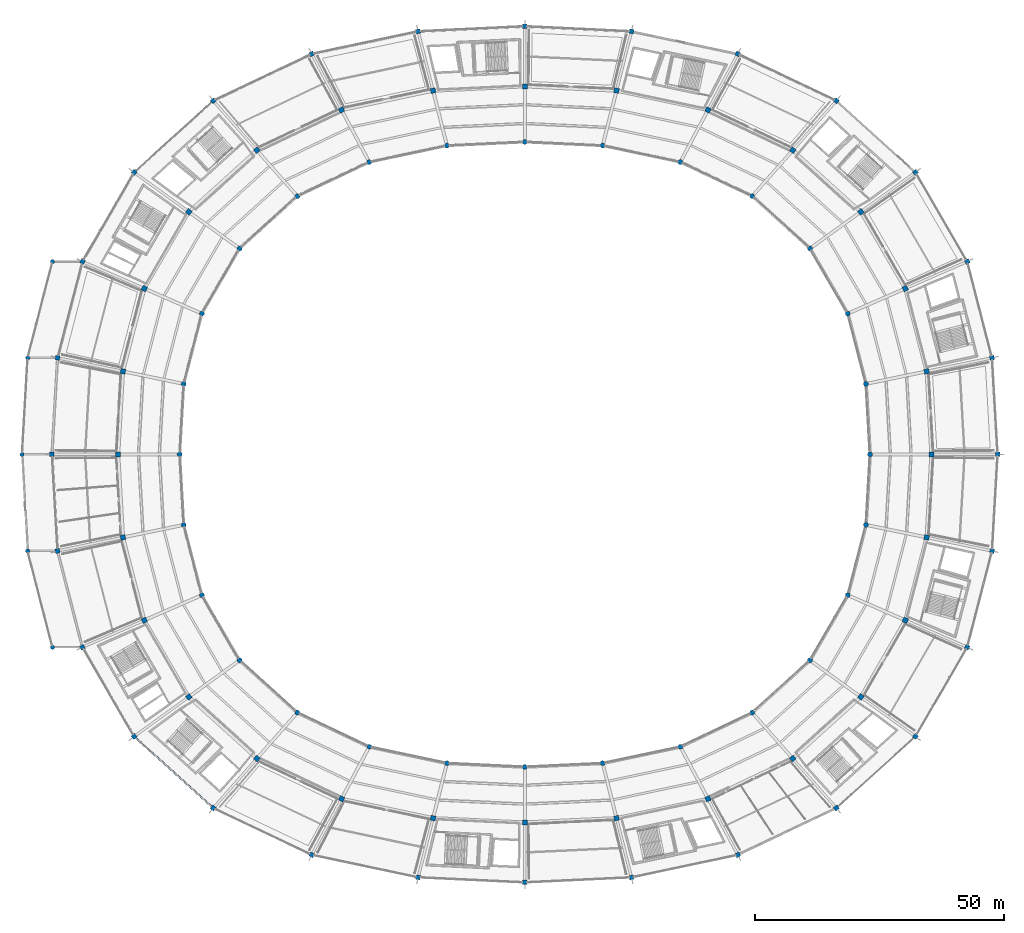
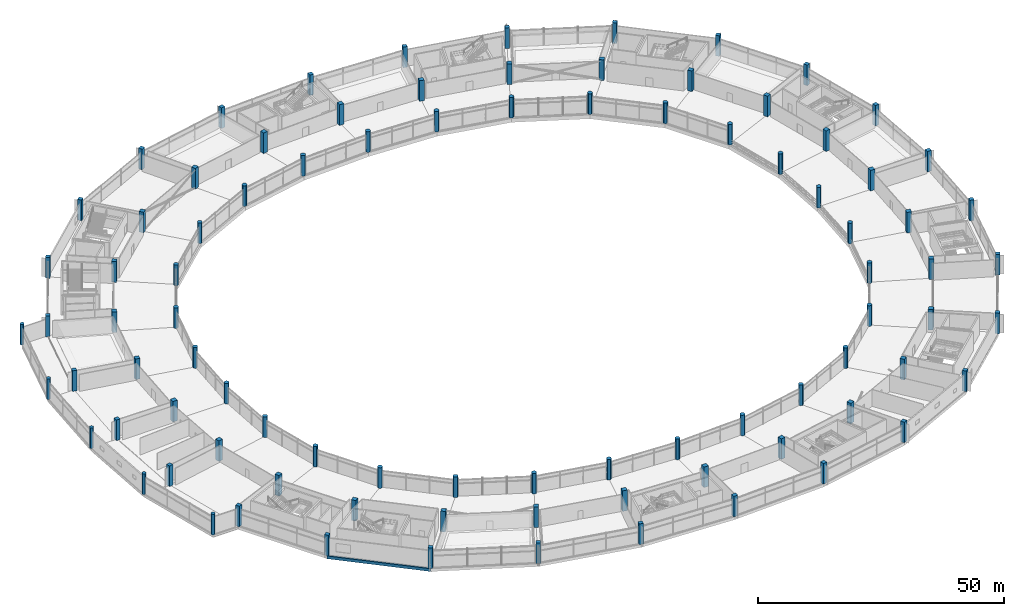
# One storey, part 1 of 184: 89 columns, 1 beam.
"""IFC4 building model written with IfcOpenShell, lengths in metres."""

from ifc_helpers import new_model, si_unit, direction, frame, origin, origin_2d, place, context, subcontext, project, spatial, rectangle, circle, extrude, material, material_profile, profile_set, type_object, element, save


model = new_model("IFC4")

# Units and contexts
model_context = context("Model", 3, precision=1e-05, world=origin(), true_north=direction((0.0, 1.0)))
body_context = subcontext(model_context, "Body", "Model", "MODEL_VIEW")
ifc_project = project(units=[si_unit("LENGTHUNIT", "METRE"), si_unit("AREAUNIT", "SQUARE_METRE"), si_unit("VOLUMEUNIT", "CUBIC_METRE"), si_unit("PLANEANGLEUNIT", "RADIAN"), si_unit("MASSUNIT", "GRAM", prefix="KILO")], contexts=[model_context])

# Site, building, storey
site_placement = place(None, origin())
site = spatial("IfcSite", under=ifc_project, at=site_placement, CompositionType="ELEMENT")
building_placement = place(site_placement, origin())
building = spatial("IfcBuilding", under=site, at=building_placement, Name="Kazemori Nagisa Stadium", CompositionType="ELEMENT")
storey_placement = place(building_placement, frame((0.0, 0.0, 10.5400390625)))
storey = spatial("IfcBuildingStorey", under=building, at=storey_placement, Name="L02", CompositionType="ELEMENT", Elevation=10.5400390625)

# Columns
ifc_material = material(Name="Concrete C40/50 (Fc42)", Category="concrete")
ifc_material_profile_1 = material_profile(ifc_material, rectangle(XDim=1.0, YDim=1.0, at=origin_2d()), Name="RC-COL-1000x1000")
ifc_profile_set_1 = profile_set([ifc_material_profile_1], Name="Concrete C40/50 (Fc42)")
column_type_1 = type_object("IfcColumnType", Name="Column_C-RC1000", PredefinedType="COLUMN", material=ifc_profile_set_1)
for number, where, z_axis, x_axis, name in (
    (1, (204.699951171875, 102.0, 0.0), (0.0, 0.0, 1.0), (1.0, 0.0, 0.0), "Column C-RC1000 L02 R2-01"),
    (2, (203.737548828125, 118.68212890625, 0.0), (0.0, 0.0, 1.0), (0.974927912182, 0.222520933954, 0.0), "Column C-RC1000 L02 R2-02"),
    (3, (199.44091796875, 135.32470703125, 0.0), (0.0, 0.0, 1.0), (0.900968867905, 0.433883739113, 0.0), "Column C-RC1000 L02 R2-03"),
    (4, (190.506103515625, 150.734130859375, 0.0), (0.0, 0.0, 1.0), (0.781831482473, 0.623489801853, 0.0), "Column C-RC1000 L02 R2-04"),
    (5, (176.834228515625, 163.11083984375, 0.0), (0.0, 0.0, 1.0), (0.623489801853, 0.781831482473, 0.0), "Column C-RC1000 L02 R2-05"),
    (6, (159.81201171875, 171.19921875, 0.0), (0.0, 0.0, 1.0), (0.433883739113, 0.900968867905, 0.0), "Column C-RC1000 L02 R2-06"),
    (7, (141.427734375, 175.088623046875, 0.0), (0.0, 0.0, 1.0), (0.222520933954, 0.974927912182, 0.0), "Column C-RC1000 L02 R2-07"),
    (8, (123.0, 175.9599609375, 0.0), (0.0, 0.0, 1.0), (0.0, 1.0, 0.0), "Column C-RC1000 L02 R2-08"),
    (9, (104.572265625, 175.088623046875, 0.0), (0.0, 0.0, 1.0), (-0.222520933954, 0.974927912182, 0.0), "Column C-RC1000 L02 R2-09"),
    (10, (86.18798828125, 171.19921875, 0.0), (0.0, 0.0, 1.0), (-0.433883739113, 0.900968867905, 0.0), "Column C-RC1000 L02 R2-10"),
    (11, (69.165771484375, 163.11083984375, 0.0), (0.0, 0.0, 1.0), (-0.623489801853, 0.781831482473, 0.0), "Column C-RC1000 L02 R2-11"),
    (12, (55.493896484375, 150.734130859375, 0.0), (0.0, 0.0, 1.0), (-0.781831482473, 0.623489801853, 0.0), "Column C-RC1000 L02 R2-12"),
    (13, (46.55908203125, 135.32470703125, 0.0), (0.0, 0.0, 1.0), (-0.900968867905, 0.433883739113, 0.0), "Column C-RC1000 L02 R2-13"),
    (14, (42.262451171875, 118.68212890625, 0.0), (0.0, 0.0, 1.0), (-0.974927912182, 0.222520933954, 0.0), "Column C-RC1000 L02 R2-14"),
    (15, (41.300048828125, 102.0, 0.0), (0.0, 0.0, 1.0), (-1.0, 0.0, 0.0), "Column C-RC1000 L02 R2-15"),
    (16, (42.262451171875, 85.31787109375, 0.0), (0.0, 0.0, 1.0), (-0.974927912182, -0.222520933954, 0.0), "Column C-RC1000 L02 R2-16"),
    (17, (46.55908203125, 68.67529296875, 0.0), (0.0, 0.0, 1.0), (-0.900968867905, -0.433883739113, 0.0), "Column C-RC1000 L02 R2-17"),
    (18, (55.493896484375, 53.265869140625, 0.0), (0.0, 0.0, 1.0), (-0.781831482473, -0.623489801853, 0.0), "Column C-RC1000 L02 R2-18"),
    (19, (69.165771484375, 40.88916015625, 0.0), (0.0, 0.0, 1.0), (-0.623489801853, -0.781831482473, 0.0), "Column C-RC1000 L02 R2-19"),
    (20, (86.18798828125, 32.80078125, 0.0), (0.0, 0.0, 1.0), (-0.433883739113, -0.900968867905, 0.0), "Column C-RC1000 L02 R2-20"),
    (21, (104.572265625, 28.911376953125, 0.0), (0.0, 0.0, 1.0), (-0.222520933954, -0.974927912182, 0.0), "Column C-RC1000 L02 R2-21"),
    (22, (123.0, 28.0400390625, 0.0), (0.0, 0.0, 1.0), (0.0, -1.0, 0.0), "Column C-RC1000 L02 R2-22"),
    (23, (141.427734375, 28.911376953125, 0.0), (0.0, 0.0, 1.0), (0.222520933954, -0.974927912182, 0.0), "Column C-RC1000 L02 R2-23"),
    (24, (159.81201171875, 32.80078125, 0.0), (0.0, 0.0, 1.0), (0.433883739113, -0.900968867905, 0.0), "Column C-RC1000 L02 R2-24"),
    (25, (176.834228515625, 40.88916015625, 0.0), (0.0, 0.0, 1.0), (0.623489801853, -0.781831482473, 0.0), "Column C-RC1000 L02 R2-25"),
    (26, (190.506103515625, 53.265869140625, 0.0), (0.0, 0.0, 1.0), (0.781831482473, -0.623489801853, 0.0), "Column C-RC1000 L02 R2-26"),
    (27, (199.44091796875, 68.67529296875, 0.0), (0.0, 0.0, 1.0), (0.900968867905, -0.433883739113, 0.0), "Column C-RC1000 L02 R2-27"),
    (28, (203.737548828125, 85.31787109375, 0.0), (0.0, 0.0, 1.0), (0.974927912182, -0.222520933954, 0.0), "Column C-RC1000 L02 R2-28"),
):
    element("IfcColumn", number, at=place(storey_placement, frame(where, z_axis=z_axis, x_axis=x_axis)), inside=storey, type_object=column_type_1, Name=name, PredefinedType="COLUMN", context=body_context, shape_type="SweptSolid", body=[
        extrude(rectangle(XDim=1.0, YDim=1.0, at=origin_2d()), origin(), (0.0, 0.0, 1.0), 5.099853515625),
    ])
ifc_material_profile_2 = material_profile(ifc_material, rectangle(XDim=0.89990234375, YDim=0.89990234375, at=origin_2d()), Name="RC-COL-900x900")
ifc_profile_set_2 = profile_set([ifc_material_profile_2], Name="Concrete C40/50 (Fc42)")
column_type_2 = type_object("IfcColumnType", Name="Column_C-RC900", PredefinedType="COLUMN", material=ifc_profile_set_2)
for number, where, z_axis, x_axis, name in (
    (29, (218.0, 102.0, 0.0), (0.0, 0.0, 1.0), (1.0, 0.0, 0.0), "Column C-RC900 L02 R3-01"),
    (30, (216.880859375, 121.397705078125, 0.0), (0.0, 0.0, 1.0), (0.974927912182, 0.222520933954, 0.0), "Column C-RC900 L02 R3-02"),
    (31, (211.885009765625, 140.74951171875, 0.0), (0.0, 0.0, 1.0), (0.900968867905, 0.433883739113, 0.0), "Column C-RC900 L02 R3-03"),
    (32, (201.495361328125, 158.667724609375, 0.0), (0.0, 0.0, 1.0), (0.781831482473, 0.623489801853, 0.0), "Column C-RC900 L02 R3-04"),
    (33, (185.597900390625, 173.05908203125, 0.0), (0.0, 0.0, 1.0), (0.623489801853, 0.781831482473, 0.0), "Column C-RC900 L02 R3-05"),
    (34, (165.8046875, 182.46435546875, 0.0), (0.0, 0.0, 1.0), (0.433883739113, 0.900968867905, 0.0), "Column C-RC900 L02 R3-06"),
    (35, (144.427734375, 186.98681640625, 0.0), (0.0, 0.0, 1.0), (0.222520933954, 0.974927912182, 0.0), "Column C-RC900 L02 R3-07"),
    (36, (123.0, 188.0, 0.0), (0.0, 0.0, 1.0), (0.0, 1.0, 0.0), "Column C-RC900 L02 R3-08"),
    (37, (101.572265625, 186.98681640625, 0.0), (0.0, 0.0, 1.0), (-0.222520933954, 0.974927912182, 0.0), "Column C-RC900 L02 R3-09"),
    (38, (80.1953125, 182.46435546875, 0.0), (0.0, 0.0, 1.0), (-0.433883739113, 0.900968867905, 0.0), "Column C-RC900 L02 R3-10"),
    (39, (60.402099609375, 173.05908203125, 0.0), (0.0, 0.0, 1.0), (-0.623489801853, 0.781831482473, 0.0), "Column C-RC900 L02 R3-11"),
    (40, (44.504638671875, 158.667724609375, 0.0), (0.0, 0.0, 1.0), (-0.781831482473, 0.623489801853, 0.0), "Column C-RC900 L02 R3-12"),
    (41, (34.114990234375, 140.74951171875, 0.0), (0.0, 0.0, 1.0), (-0.900968867905, 0.433883739113, 0.0), "Column C-RC900 L02 R3-13"),
    (42, (29.119140625, 121.397705078125, 0.0), (0.0, 0.0, 1.0), (-0.974927912182, 0.222520933954, 0.0), "Column C-RC900 L02 R3-14"),
    (43, (28.0, 102.0, 0.0), (0.0, 0.0, 1.0), (-1.0, 0.0, 0.0), "Column C-RC900 L02 R3-15"),
    (44, (29.119140625, 82.602294921875, 0.0), (0.0, 0.0, 1.0), (-0.974927912182, -0.222520933954, 0.0), "Column C-RC900 L02 R3-16"),
    (45, (34.114990234375, 63.25048828125, 0.0), (0.0, 0.0, 1.0), (-0.900968867905, -0.433883739113, 0.0), "Column C-RC900 L02 R3-17"),
    (46, (44.504638671875, 45.332275390625, 0.0), (0.0, 0.0, 1.0), (-0.781831482473, -0.623489801853, 0.0), "Column C-RC900 L02 R3-18"),
    (47, (60.402099609375, 30.94091796875, 0.0), (0.0, 0.0, 1.0), (-0.623489801853, -0.781831482473, 0.0), "Column C-RC900 L02 R3-19"),
    (48, (80.1953125, 21.53564453125, 0.0), (0.0, 0.0, 1.0), (-0.433883739113, -0.900968867905, 0.0), "Column C-RC900 L02 R3-20"),
    (49, (101.572265625, 17.01318359375, 0.0), (0.0, 0.0, 1.0), (-0.222520933954, -0.974927912182, 0.0), "Column C-RC900 L02 R3-21"),
    (50, (123.0, 16.0, 0.0), (0.0, 0.0, 1.0), (0.0, -1.0, 0.0), "Column C-RC900 L02 R3-22"),
    (51, (144.427734375, 17.01318359375, 0.0), (0.0, 0.0, 1.0), (0.222520933954, -0.974927912182, 0.0), "Column C-RC900 L02 R3-23"),
    (52, (165.8046875, 21.53564453125, 0.0), (0.0, 0.0, 1.0), (0.433883739113, -0.900968867905, 0.0), "Column C-RC900 L02 R3-24"),
    (53, (185.597900390625, 30.94091796875, 0.0), (0.0, 0.0, 1.0), (0.623489801853, -0.781831482473, 0.0), "Column C-RC900 L02 R3-25"),
    (54, (201.495361328125, 45.332275390625, 0.0), (0.0, 0.0, 1.0), (0.781831482473, -0.623489801853, 0.0), "Column C-RC900 L02 R3-26"),
    (55, (211.885009765625, 63.25048828125, 0.0), (0.0, 0.0, 1.0), (0.900968867905, -0.433883739113, 0.0), "Column C-RC900 L02 R3-27"),
    (56, (216.880859375, 82.602294921875, 0.0), (0.0, 0.0, 1.0), (0.974927912182, -0.222520933954, 0.0), "Column C-RC900 L02 R3-28"),
):
    element("IfcColumn", number, at=place(storey_placement, frame(where, z_axis=z_axis, x_axis=x_axis)), inside=storey, type_object=column_type_2, Name=name, PredefinedType="COLUMN", context=body_context, shape_type="SweptSolid", body=[
        extrude(rectangle(XDim=0.89990234375, YDim=0.89990234375, at=origin_2d()), origin(), (0.0, 0.0, 1.0), 5.099853515625),
    ])
ifc_material_profile_3 = material_profile(ifc_material, circle(Radius=0.5, at=origin_2d()), Name="RC-COL-D1000")
ifc_profile_set_3 = profile_set([ifc_material_profile_3], Name="Concrete C40/50 (Fc42)")
column_type_3 = type_object("IfcColumnType", Name="Column_C-RCD1000", PredefinedType="COLUMN", material=ifc_profile_set_3)
for number, where, z_axis, x_axis, name in (
    (57, (192.35009765625, 102.0, 0.0), (0.0, 0.0, 1.0), (1.0, 0.0, 0.0), "Column C-RCD1000 L02 R1-01"),
    (58, (191.532958984375, 116.160400390625, 0.0), (0.0, 0.0, 1.0), (0.974927912182, 0.222520933954, 0.0), "Column C-RCD1000 L02 R1-02"),
    (59, (187.885986328125, 130.287109375, 0.0), (0.0, 0.0, 1.0), (0.900968867905, 0.433883739113, 0.0), "Column C-RCD1000 L02 R1-03"),
    (60, (180.301513671875, 143.367431640625, 0.0), (0.0, 0.0, 1.0), (0.781831482473, 0.623489801853, 0.0), "Column C-RCD1000 L02 R1-04"),
    (61, (168.696533203125, 153.873046875, 0.0), (0.0, 0.0, 1.0), (0.623489801853, 0.781831482473, 0.0), "Column C-RCD1000 L02 R1-05"),
    (62, (154.24755859375, 160.739013671875, 0.0), (0.0, 0.0, 1.0), (0.433883739113, 0.900968867905, 0.0), "Column C-RCD1000 L02 R1-06"),
    (63, (138.64208984375, 164.040283203125, 0.0), (0.0, 0.0, 1.0), (0.222520933954, 0.974927912182, 0.0), "Column C-RCD1000 L02 R1-07"),
    (64, (123.0, 164.780029296875, 0.0), (0.0, 0.0, 1.0), (0.0, 1.0, 0.0), "Column C-RCD1000 L02 R1-08"),
    (65, (107.35791015625, 164.040283203125, 0.0), (0.0, 0.0, 1.0), (-0.222520933954, 0.974927912182, 0.0), "Column C-RCD1000 L02 R1-09"),
    (66, (91.75244140625, 160.739013671875, 0.0), (0.0, 0.0, 1.0), (-0.433883739113, 0.900968867905, 0.0), "Column C-RCD1000 L02 R1-10"),
    (67, (77.303466796875, 153.873046875, 0.0), (0.0, 0.0, 1.0), (-0.623489801853, 0.781831482473, 0.0), "Column C-RCD1000 L02 R1-11"),
    (68, (65.698486328125, 143.367431640625, 0.0), (0.0, 0.0, 1.0), (-0.781831482473, 0.623489801853, 0.0), "Column C-RCD1000 L02 R1-12"),
    (69, (58.114013671875, 130.287109375, 0.0), (0.0, 0.0, 1.0), (-0.900968867905, 0.433883739113, 0.0), "Column C-RCD1000 L02 R1-13"),
    (70, (54.467041015625, 116.160400390625, 0.0), (0.0, 0.0, 1.0), (-0.974927912182, 0.222520933954, 0.0), "Column C-RCD1000 L02 R1-14"),
    (71, (53.64990234375, 102.0, 0.0), (0.0, 0.0, 1.0), (-1.0, 0.0, 0.0), "Column C-RCD1000 L02 R1-15"),
    (72, (54.467041015625, 87.839599609375, 0.0), (0.0, 0.0, 1.0), (-0.974927912182, -0.222520933954, 0.0), "Column C-RCD1000 L02 R1-16"),
    (73, (58.114013671875, 73.712890625, 0.0), (0.0, 0.0, 1.0), (-0.900968867905, -0.433883739113, 0.0), "Column C-RCD1000 L02 R1-17"),
    (74, (65.698486328125, 60.632568359375, 0.0), (0.0, 0.0, 1.0), (-0.781831482473, -0.623489801853, 0.0), "Column C-RCD1000 L02 R1-18"),
    (75, (77.303466796875, 50.126953125, 0.0), (0.0, 0.0, 1.0), (-0.623489801853, -0.781831482473, 0.0), "Column C-RCD1000 L02 R1-19"),
    (76, (91.75244140625, 43.260986328125, 0.0), (0.0, 0.0, 1.0), (-0.433883739113, -0.900968867905, 0.0), "Column C-RCD1000 L02 R1-20"),
    (77, (107.35791015625, 39.959716796875, 0.0), (0.0, 0.0, 1.0), (-0.222520933954, -0.974927912182, 0.0), "Column C-RCD1000 L02 R1-21"),
    (78, (123.0, 39.219970703125, 0.0), (0.0, 0.0, 1.0), (0.0, -1.0, 0.0), "Column C-RCD1000 L02 R1-22"),
    (79, (138.64208984375, 39.959716796875, 0.0), (0.0, 0.0, 1.0), (0.222520933954, -0.974927912182, 0.0), "Column C-RCD1000 L02 R1-23"),
    (80, (154.24755859375, 43.260986328125, 0.0), (0.0, 0.0, 1.0), (0.433883739113, -0.900968867905, 0.0), "Column C-RCD1000 L02 R1-24"),
    (81, (168.696533203125, 50.126953125, 0.0), (0.0, 0.0, 1.0), (0.623489801853, -0.781831482473, 0.0), "Column C-RCD1000 L02 R1-25"),
    (82, (180.301513671875, 60.632568359375, 0.0), (0.0, 0.0, 1.0), (0.781831482473, -0.623489801853, 0.0), "Column C-RCD1000 L02 R1-26"),
    (83, (187.885986328125, 73.712890625, 0.0), (0.0, 0.0, 1.0), (0.900968867905, -0.433883739113, 0.0), "Column C-RCD1000 L02 R1-27"),
    (84, (191.532958984375, 87.839599609375, 0.0), (0.0, 0.0, 1.0), (0.974927912182, -0.222520933954, 0.0), "Column C-RCD1000 L02 R1-28"),
):
    element("IfcColumn", number, at=place(storey_placement, frame(where, z_axis=z_axis, x_axis=x_axis)), inside=storey, type_object=column_type_3, Name=name, PredefinedType="COLUMN", context=body_context, shape_type="SweptSolid", body=[
        extrude(circle(Radius=0.5, at=origin_2d()), origin(), (0.0, 0.0, 1.0), 5.099853515625),
    ])
ifc_material_profile_4 = material_profile(ifc_material, circle(Radius=0.425048828125, at=origin_2d()), Name="RC-COL-D850")
ifc_profile_set_4 = profile_set([ifc_material_profile_4], Name="Concrete C40/50 (Fc42)")
column_type_4 = type_object("IfcColumnType", Name="Column_C-RCD850", PredefinedType="COLUMN", material=ifc_profile_set_4)
for number, where, z_axis, x_axis, name in (
    (85, (28.114990234375, 140.74951171875, 0.0), (0.0, 0.0, 1.0), (1.0, 0.0, 0.0), "Boulevard column C-RCD850 L02 R4-13"),
    (86, (23.119140625, 121.397705078125, 0.0), (0.0, 0.0, 1.0), (1.0, 0.0, 0.0), "Boulevard column C-RCD850 L02 R4-14"),
    (87, (22.0, 102.0, 0.0), (0.0, 0.0, 1.0), (1.0, 0.0, 0.0), "Boulevard column C-RCD850 L02 R4-15"),
    (88, (23.119140625, 82.602294921875, 0.0), (0.0, 0.0, 1.0), (1.0, 0.0, 0.0), "Boulevard column C-RCD850 L02 R4-16"),
    (89, (28.114990234375, 63.25048828125, 0.0), (0.0, 0.0, 1.0), (1.0, 0.0, 0.0), "Boulevard column C-RCD850 L02 R4-17"),
):
    element("IfcColumn", number, at=place(storey_placement, frame(where, z_axis=z_axis, x_axis=x_axis)), inside=storey, type_object=column_type_4, Name=name, PredefinedType="COLUMN", context=body_context, shape_type="SweptSolid", body=[
        extrude(circle(Radius=0.425048828125, at=origin_2d()), origin(), (0.0, 0.0, 1.0), 5.099853515625),
    ])

# Beam
ifc_material_profile_5 = material_profile(ifc_material, rectangle(XDim=0.35009765625, YDim=0.699951171875, at=origin_2d()), Name="RC-SP-350x700")
ifc_profile_set_5 = profile_set([ifc_material_profile_5], Name="Concrete C40/50 (Fc42)")
beam_type = type_object("IfcBeamType", Name="Beam_BS-RC350X700", PredefinedType="SPANDREL", material=ifc_profile_set_5)
beam_placement = place(storey_placement, frame((44.504638671875, 45.332275390625, -0.610107421875), z_axis=(0.741351531326, -0.671116910084, 0.0), x_axis=(0.671116910084, 0.741351531326, 0.0)))
element("IfcBeam", 90, at=beam_placement, inside=storey, type_object=beam_type, Name="Ring girder BS-RC350X700 L02 R3-18", PredefinedType="SPANDREL", context=body_context, shape_type="SweptSolid", body=[
    extrude(rectangle(XDim=0.35009765625, YDim=0.699951171875, at=origin_2d()), origin(), (0.0, 0.0, 1.0), 21.44384765625),
])

save(model, "model.ifc")
